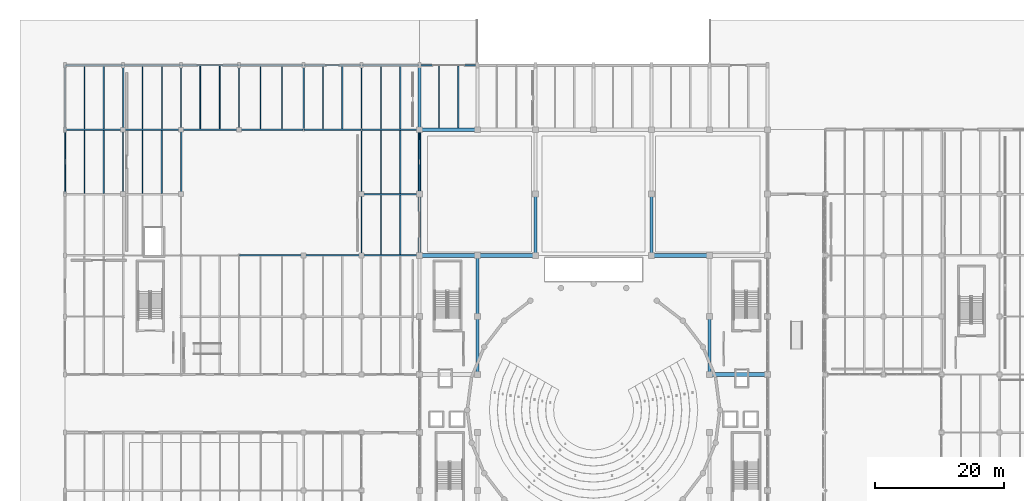
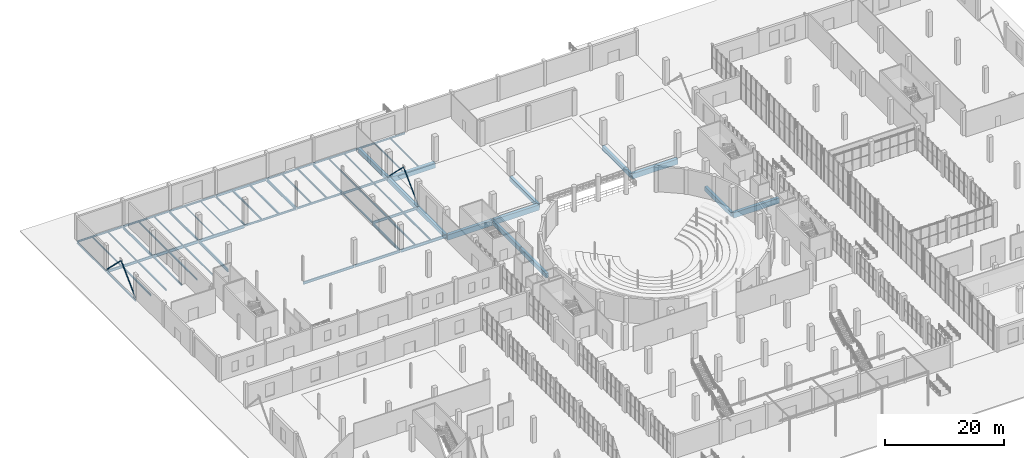
# One storey, part 50 of 103: 63 beams, 4 members.
"""IFC4 building model written with IfcOpenShell, lengths in metres."""

import ifcopenshell
import ifcopenshell.guid

model = None  # the IFC model being written
_history = None  # IfcOwnerHistory: only IFC2X3 demands one
_inside = {}  # id of a spatial element -> (the spatial element, [elements in it])
_under = {}  # id of a project, library or spatial element -> (it, [spatial elements below it])
_declared = {}  # id of a project -> (the project, [libraries it declares])
_typed = {}  # id of a type object -> (the type object, [elements of that type])
_made_of = {}  # id of a material, layer set ... -> (it, [elements and type objects made of it])


def new_model(schema):
    """Start an empty IFC model of exactly this schema.

    Asked for "IFC4X3", IfcOpenShell would pick the latest addendum, in which some entities
    have other attributes; the version numbers below select the first issue.
    IFC2X3 requires an IfcOwnerHistory on every rooted entity: one is made here for all.
    """
    global model, _history
    if schema == "IFC4X3":
        model = ifcopenshell.file(schema_version=(4, 3, 0, 0))
    else:
        model = ifcopenshell.file(schema=schema)
    _inside.clear()
    _under.clear()
    _declared.clear()
    _typed.clear()
    _made_of.clear()
    _history = None
    if model.schema == "IFC2X3":
        org = make("IfcOrganization", Name="unknown")
        user = make(
            "IfcPersonAndOrganization",
            ThePerson=make("IfcPerson", FamilyName="unknown"),
            TheOrganization=org,
        )
        app = make(
            "IfcApplication",
            ApplicationDeveloper=org,
            Version="unknown",
            ApplicationFullName="unknown",
            ApplicationIdentifier="unknown",
        )
        _history = make(
            "IfcOwnerHistory",
            OwningUser=user,
            OwningApplication=app,
            ChangeAction="ADDED",
            CreationDate=0,
        )
    return model


def make(cls, **values):
    """One entity of the class cls with the attributes given. An attribute that is None is left unset."""
    return model.create_entity(
        cls, **{name: value for name, value in values.items() if value is not None}
    )


def rooted(cls, **values):
    """An entity with a GlobalId (a new one), such as an element, a storey or a relation."""
    return make(cls, GlobalId=ifcopenshell.guid.new(), OwnerHistory=_history, **values)


def si_unit(unit_type, name, prefix=None):
    """IfcSIUnit, for example si_unit("LENGTHUNIT", "METRE", prefix="MILLI")."""
    return make("IfcSIUnit", UnitType=unit_type, Prefix=prefix, Name=name)


def assignment(units):
    """IfcUnitAssignment: the units of a project."""
    return None if units is None else make("IfcUnitAssignment", Units=units)


def point(xyz):
    """IfcCartesianPoint."""
    return None if xyz is None else make("IfcCartesianPoint", Coordinates=xyz)


def direction(xyz):
    """IfcDirection."""
    return None if xyz is None else make("IfcDirection", DirectionRatios=xyz)


def frame(location, z_axis=None, x_axis=None):
    """IfcAxis2Placement3D, a coordinate frame: its origin and axes. An axis left out is left unset."""
    return make(
        "IfcAxis2Placement3D",
        Location=point(location),
        Axis=direction(z_axis),
        RefDirection=direction(x_axis),
    )


def frame_2d(location, x_axis=None):
    """IfcAxis2Placement2D, a coordinate frame in the plane: its origin and x axis."""
    return make(
        "IfcAxis2Placement2D", Location=point(location), RefDirection=direction(x_axis)
    )


def origin():
    """The frame at (0, 0, 0) with its axes left unset."""
    return frame((0.0, 0.0, 0.0))


def origin_2d():
    """The frame at (0, 0) in the plane with its x axis left unset."""
    return frame_2d((0.0, 0.0))


def place(relative_to, where):
    """IfcLocalPlacement: puts the frame where relative to a parent placement (None: the world)."""
    return make(
        "IfcLocalPlacement", PlacementRelTo=relative_to, RelativePlacement=where
    )


def context(
    kind, dimensions, precision=None, world=None, true_north=None, identifier=None
):
    """IfcGeometricRepresentationContext, for example the 3D "Model" context."""
    return make(
        "IfcGeometricRepresentationContext",
        ContextIdentifier=identifier,
        ContextType=kind,
        CoordinateSpaceDimension=dimensions,
        Precision=precision,
        WorldCoordinateSystem=world,
        TrueNorth=true_north,
    )


def subcontext(parent, identifier, kind, view, scale=None):
    """IfcGeometricRepresentationSubContext, for example "Body" below "Model"."""
    return make(
        "IfcGeometricRepresentationSubContext",
        ContextIdentifier=identifier,
        ContextType=kind,
        ParentContext=parent,
        TargetScale=scale,
        TargetView=view,
    )


def project(units=None, contexts=None):
    """IfcProject with its units and contexts."""
    return rooted(
        "IfcProject",
        Name="project",
        RepresentationContexts=contexts,
        UnitsInContext=assignment(units),
    )


def spatial(cls, under=None, at=None, **own):
    """A site, building, storey or space (cls), placed at a placement, below another one or the project."""
    s = rooted(cls, ObjectPlacement=at, **own)
    if under is not None:
        _under.setdefault(under.id(), (under, []))[1].append(s)
    return s


def profile(cls, at=None, kind="AREA", **sizes):
    """A parametric profile (cls). Its sizes go by their IFC names, for example OverallWidth=200.0."""
    return make(cls, ProfileType=kind, Position=at, **sizes)


def rectangle(**sizes):
    """IfcRectangleProfileDef."""
    return profile("IfcRectangleProfileDef", **sizes)


def hollow_rectangle(**sizes):
    """IfcRectangleHollowProfileDef."""
    return profile("IfcRectangleHollowProfileDef", **sizes)


def hollow_circle(**sizes):
    """IfcCircleHollowProfileDef."""
    return profile("IfcCircleHollowProfileDef", **sizes)


def i_section(**sizes):
    """IfcIShapeProfileDef."""
    return profile("IfcIShapeProfileDef", **sizes)


def extrude(swept, where, along, depth):
    """IfcExtrudedAreaSolid: the profile swept, set in the frame where, extruded along a direction by depth."""
    return make(
        "IfcExtrudedAreaSolid",
        SweptArea=swept,
        Position=where,
        ExtrudedDirection=direction(along),
        Depth=depth,
    )


def shape(context_of_items, identifier, shape_type, items):
    """IfcShapeRepresentation: the items that make up one representation, for example the "Body"."""
    return make(
        "IfcShapeRepresentation",
        ContextOfItems=context_of_items,
        RepresentationIdentifier=identifier,
        RepresentationType=shape_type,
        Items=items,
    )


def material(Name=None, Category=None):
    """IfcMaterial."""
    return make("IfcMaterial", Name=Name, Category=Category)


def material_profile(
    of_material, cross_section, Name=None, Category=None, Priority=None
):
    """IfcMaterialProfile: a cross section and its material."""
    return make(
        "IfcMaterialProfile",
        Name=Name,
        Material=of_material,
        Profile=cross_section,
        Priority=Priority,
        Category=Category,
    )


def profile_set(profiles, Name=None, composite=None):
    """IfcMaterialProfileSet."""
    return make(
        "IfcMaterialProfileSet",
        Name=Name,
        MaterialProfiles=profiles,
        CompositeProfile=composite,
    )


def made_of(thing, what):
    """Note that an element or type object is made of a material, layer set ...; save() writes the relation."""
    if what is not None:
        _made_of.setdefault(what.id(), (what, []))[1].append(thing)
    return thing


def type_object(cls, material=None, **own):
    """A type object (cls), such as IfcWallType, which elements share."""
    return made_of(rooted(cls, **own), material)


def element(
    cls,
    number,
    at=None,
    inside=None,
    cuts=None,
    type_object=None,
    material=None,
    context=None,
    identifier="Body",
    shape_type=None,
    held_by="IfcProductDefinitionShape",
    body=None,
    shapes=None,
    **own,
):
    """One element of the class cls, such as IfcWall. Its Tag is "e" and its number.

    at: its placement. inside: the storey or other place that contains it. cuts: it is an
    opening in that element (IfcRelVoidsElement). A single representation is given by context,
    identifier, shape_type and body (its items); several are given by shapes. held_by: the class
    of the entity that holds the representations. save() writes the other relations.
    """
    e = rooted(cls, Tag="e%d" % number, ObjectPlacement=at, **own)
    if body is not None:
        shapes = [shape(context, identifier, shape_type, body)]
    if shapes is not None:
        e.Representation = make(held_by, Representations=shapes)
    if inside is not None:
        _inside.setdefault(inside.id(), (inside, []))[1].append(e)
    if cuts is not None:
        rooted(
            "IfcRelVoidsElement", RelatingBuildingElement=cuts, RelatedOpeningElement=e
        )
    if type_object is not None:
        _typed.setdefault(type_object.id(), (type_object, []))[1].append(e)
    return made_of(e, material)


def aggregate(whole, parts):
    """IfcRelAggregates: a whole, such as a stair, and the parts it consists of."""
    return rooted("IfcRelAggregates", RelatingObject=whole, RelatedObjects=parts)


def save(model, path):
    """Write the relations noted so far, then the file.

    IfcRelAggregates (storeys below a building ...), IfcRelContainedInSpatialStructure (elements
    in a storey), IfcRelDefinesByType, IfcRelAssociatesMaterial and IfcRelDeclares: one each for
    every whole, place, type object, material and project.
    """
    for whole, parts in _under.values():
        aggregate(whole, parts)
    for where, things in _inside.values():
        rooted(
            "IfcRelContainedInSpatialStructure",
            RelatedElements=things,
            RelatingStructure=where,
        )
    for kind, things in _typed.values():
        rooted("IfcRelDefinesByType", RelatedObjects=things, RelatingType=kind)
    for what, things in _made_of.values():
        rooted("IfcRelAssociatesMaterial", RelatedObjects=things, RelatingMaterial=what)
    for by, libraries in _declared.values():
        rooted("IfcRelDeclares", RelatingContext=by, RelatedDefinitions=libraries)
    model.write(path)


model = new_model("IFC4")

# Units and contexts
model_context = context("Model", 3, precision=1e-05, world=origin(), true_north=direction((0.0, 1.0)))
body_context = subcontext(model_context, "Body", "Model", "MODEL_VIEW")
ifc_project = project(units=[si_unit("LENGTHUNIT", "METRE"), si_unit("AREAUNIT", "SQUARE_METRE"), si_unit("VOLUMEUNIT", "CUBIC_METRE"), si_unit("PLANEANGLEUNIT", "RADIAN"), si_unit("MASSUNIT", "GRAM", prefix="KILO")], contexts=[model_context])

# Site, building, storey
site_placement = place(None, origin())
site = spatial("IfcSite", under=ifc_project, at=site_placement, CompositionType="ELEMENT")
building_placement = place(site_placement, origin())
building = spatial("IfcBuilding", under=site, at=building_placement, Name="Marnock Terrace Opera House", CompositionType="ELEMENT")
storey_placement = place(building_placement, origin())
storey = spatial("IfcBuildingStorey", under=building, at=storey_placement, Name="L00", CompositionType="ELEMENT", Elevation=0.0)

# Beams
ifc_material_1 = material(Name="Concrete N40 (f'c = 40 MPa)", Category="concrete")
ifc_material_profile_1 = material_profile(ifc_material_1, rectangle(XDim=0.5, YDim=0.89990234375, at=origin_2d()))
ifc_profile_set_1 = profile_set([ifc_material_profile_1], Name="Concrete N40 (f'c = 40 MPa)")
beam_type_1 = type_object("IfcBeamType", Name="BM-B1-RC500", PredefinedType="BEAM", material=ifc_profile_set_1)
beam_1_placement = place(storey_placement, frame((55.0, 84.550048828125, -0.75), z_axis=(0.0, 1.0, 0.0), x_axis=(-1.0, 0.0, 0.0)))
element("IfcBeam", 1, at=beam_1_placement, inside=storey, type_object=beam_type_1, Name="L00 girder (X=55.0, 84.5..94.0)", PredefinedType="BEAM", context=body_context, shape_type="SweptSolid", body=[
    extrude(rectangle(XDim=0.5, YDim=0.89990234375, at=origin_2d()), origin(), (0.0, 0.0, 1.0), 9.39990234375),
])
for number, where, z_axis, x_axis, name in (
    (2, (55.0, 94.050048828125, -0.75), (0.0, 1.0, 0.0), (-1.0, 0.0, 0.0), "L00 girder (X=55.0, 94.0..104.0)"),
    (3, (55.0, 104.050048828125, -0.75), (0.0, 1.0, 0.0), (-1.0, 0.0, 0.0), "L00 girder (X=55.0, 104.0..114.0)"),
):
    element("IfcBeam", number, at=place(storey_placement, frame(where, z_axis=z_axis, x_axis=x_axis)), inside=storey, type_object=beam_type_1, Name=name, PredefinedType="BEAM", context=body_context, shape_type="SweptSolid", body=[
        extrude(rectangle(XDim=0.5, YDim=0.89990234375, at=origin_2d()), origin(), (0.0, 0.0, 1.0), 9.89990234375),
    ])
beam_2_placement = place(storey_placement, frame((64.0, 66.050048828125, -0.75), z_axis=(0.0, 1.0, 0.0), x_axis=(-1.0, 0.0, 0.0)))
element("IfcBeam", 4, at=beam_2_placement, inside=storey, type_object=beam_type_1, Name="L00 girder (X=64.0, 66.0..75.0)", PredefinedType="BEAM", context=body_context, shape_type="SweptSolid", body=[
    extrude(rectangle(XDim=0.5, YDim=0.89990234375, at=origin_2d()), origin(), (0.0, 0.0, 1.0), 8.89990234375),
])
for number, where, z_axis, x_axis, name in (
    (5, (64.0, 75.050048828125, -0.75), (0.0, 1.0, 0.0), (-1.0, 0.0, 0.0), "L00 girder (X=64.0, 75.0..84.5)"),
    (6, (73.0, 84.550048828125, -0.75), (0.0, 1.0, 0.0), (-1.0, 0.0, 0.0), "L00 girder (X=73.0, 84.5..94.0)"),
    (7, (91.0, 84.550048828125, -0.75), (0.0, 1.0, 0.0), (-1.0, 0.0, 0.0), "L00 girder (X=91.0, 84.5..94.0)"),
):
    element("IfcBeam", number, at=place(storey_placement, frame(where, z_axis=z_axis, x_axis=x_axis)), inside=storey, type_object=beam_type_1, Name=name, PredefinedType="BEAM", context=body_context, shape_type="SweptSolid", body=[
        extrude(rectangle(XDim=0.5, YDim=0.89990234375, at=origin_2d()), origin(), (0.0, 0.0, 1.0), 9.39990234375),
    ])
beam_3_placement = place(storey_placement, frame((100.0, 66.050048828125, -0.75), z_axis=(0.0, 1.0, 0.0), x_axis=(-1.0, 0.0, 0.0)))
element("IfcBeam", 8, at=beam_3_placement, inside=storey, type_object=beam_type_1, Name="L00 girder (X=100.0, 66.0..75.0)", PredefinedType="BEAM", context=body_context, shape_type="SweptSolid", body=[
    extrude(rectangle(XDim=0.5, YDim=0.89990234375, at=origin_2d()), origin(), (0.0, 0.0, 1.0), 8.89990234375),
])
ifc_material_profile_2 = material_profile(ifc_material_1, rectangle(XDim=0.60009765625, YDim=1.10009765625, at=origin_2d()))
ifc_profile_set_2 = profile_set([ifc_material_profile_2], Name="Concrete N40 (f'c = 40 MPa)")
beam_type_2 = type_object("IfcBeamType", Name="BM-B1-RC600", PredefinedType="BEAM", material=ifc_profile_set_2)
for number, where, z_axis, x_axis, name in (
    (9, (100.050048828125, 66.0, -0.85009765625), (1.0, 0.0, 0.0), (0.0, 1.0, 0.0), "L00 girder (100.0..109.0, Y=66.0)"),
    (10, (55.050048828125, 84.5, -0.85009765625), (1.0, 0.0, 0.0), (0.0, 1.0, 0.0), "L00 girder (55.0..64.0, Y=84.5)"),
    (11, (64.050048828125, 84.5, -0.85009765625), (1.0, 0.0, 0.0), (0.0, 1.0, 0.0), "L00 girder (64.0..73.0, Y=84.5)"),
    (12, (91.050048828125, 84.5, -0.85009765625), (1.0, 0.0, 0.0), (0.0, 1.0, 0.0), "L00 girder (91.0..100.0, Y=84.5)"),
    (13, (55.050048828125, 104.0, -0.85009765625), (1.0, 0.0, 0.0), (0.0, 1.0, 0.0), "L00 girder (55.0..64.0, Y=104.0)"),
):
    element("IfcBeam", number, at=place(storey_placement, frame(where, z_axis=z_axis, x_axis=x_axis)), inside=storey, type_object=beam_type_2, Name=name, PredefinedType="BEAM", context=body_context, shape_type="SweptSolid", body=[
        extrude(rectangle(XDim=0.60009765625, YDim=1.10009765625, at=origin_2d()), origin(), (0.0, 0.0, 1.0), 8.89990234375),
    ])
ifc_material_2 = material(Name="Steel Grade 350 (AS/NZS 3679.1)", Category="steel")
ifc_material_profile_3 = material_profile(ifc_material_2, i_section(OverallWidth=0.1708984375, OverallDepth=0.355712890625, WebThickness=0.00732421875, FlangeThickness=0.011474609375, FilletRadius=0.011474609375, at=origin_2d()))
ifc_profile_set_3 = profile_set([ifc_material_profile_3], Name="Steel Grade 350 (AS/NZS 3679.1)")
beam_type_3 = type_object("IfcBeamType", Name="BM-GIRD-360", PredefinedType="BEAM", material=ifc_profile_set_3)
for number, where, z_axis, x_axis, name in (
    (14, (9.0, 94.050048828125, -0.477783203125), (0.0, 1.0, 0.0), (-1.0, 0.0, 0.0), "L00 girder (X=9.0, 94.0..104.0)"),
    (15, (27.0, 104.050048828125, -0.477783203125), (0.0, 1.0, 0.0), (-1.0, 0.0, 0.0), "L00 girder (X=27.0, 104.0..114.0)"),
    (16, (46.0, 94.050048828125, -0.477783203125), (0.0, 1.0, 0.0), (-1.0, 0.0, 0.0), "L00 girder (X=46.0, 94.0..104.0)"),
):
    element("IfcBeam", number, at=place(storey_placement, frame(where, z_axis=z_axis, x_axis=x_axis)), inside=storey, type_object=beam_type_3, Name=name, PredefinedType="BEAM", context=body_context, shape_type="SweptSolid", body=[
        extrude(i_section(OverallWidth=0.1708984375, OverallDepth=0.355712890625, WebThickness=0.00732421875, FlangeThickness=0.011474609375, FilletRadius=0.011474609375, at=origin_2d()), origin(), (0.0, 0.0, 1.0), 9.89990234375),
    ])
ifc_material_profile_4 = material_profile(ifc_material_2, i_section(OverallWidth=0.177978515625, OverallDepth=0.402587890625, WebThickness=0.007568359375, FlangeThickness=0.010986328125, FilletRadius=0.011474609375, at=origin_2d()))
ifc_profile_set_4 = profile_set([ifc_material_profile_4], Name="Steel Grade 350 (AS/NZS 3679.1)")
beam_type_4 = type_object("IfcBeamType", Name="BM-GIRD-410", PredefinedType="BEAM", material=ifc_profile_set_4)
beam_4_placement = place(storey_placement, frame((27.050048828125, 104.0, -0.501220703125), z_axis=(1.0, 0.0, 0.0), x_axis=(0.0, 1.0, 0.0)))
element("IfcBeam", 17, at=beam_4_placement, inside=storey, type_object=beam_type_4, Name="L00 girder (27.0..37.0, Y=104.0)", PredefinedType="BEAM", context=body_context, shape_type="SweptSolid", body=[
    extrude(i_section(OverallWidth=0.177978515625, OverallDepth=0.402587890625, WebThickness=0.007568359375, FlangeThickness=0.010986328125, FilletRadius=0.011474609375, at=origin_2d()), origin(), (0.0, 0.0, 1.0), 9.89990234375),
])
beam_5_placement = place(storey_placement, frame((37.050048828125, 104.0, -0.501220703125), z_axis=(1.0, 0.0, 0.0), x_axis=(0.0, 1.0, 0.0)))
element("IfcBeam", 18, at=beam_5_placement, inside=storey, type_object=beam_type_4, Name="L00 girder (37.0..46.0, Y=104.0)", PredefinedType="BEAM", context=body_context, shape_type="SweptSolid", body=[
    extrude(i_section(OverallWidth=0.177978515625, OverallDepth=0.402587890625, WebThickness=0.007568359375, FlangeThickness=0.010986328125, FilletRadius=0.011474609375, at=origin_2d()), origin(), (0.0, 0.0, 1.0), 8.89990234375),
])
ifc_material_profile_5 = material_profile(ifc_material_2, i_section(OverallWidth=0.19091796875, OverallDepth=0.46044921875, WebThickness=0.010009765625, FlangeThickness=0.01611328125, FilletRadius=0.011474609375, at=origin_2d()))
ifc_profile_set_5 = profile_set([ifc_material_profile_5], Name="Steel Grade 350 (AS/NZS 3679.1)")
beam_type_5 = type_object("IfcBeamType", Name="BM-GIRD-460A", PredefinedType="BEAM", material=ifc_profile_set_5)
beam_6_placement = place(storey_placement, frame((46.050048828125, 104.0, -0.5302734375), z_axis=(1.0, 0.0, 0.0), x_axis=(0.0, 1.0, 0.0)))
element("IfcBeam", 19, at=beam_6_placement, inside=storey, type_object=beam_type_5, Name="L00 girder (46.0..55.0, Y=104.0)", PredefinedType="BEAM", context=body_context, shape_type="SweptSolid", body=[
    extrude(i_section(OverallWidth=0.19091796875, OverallDepth=0.46044921875, WebThickness=0.010009765625, FlangeThickness=0.01611328125, FilletRadius=0.011474609375, at=origin_2d()), origin(), (0.0, 0.0, 1.0), 8.89990234375),
])
ifc_material_profile_6 = material_profile(ifc_material_2, i_section(OverallWidth=0.18994140625, OverallDepth=0.45751953125, WebThickness=0.009033203125, FlangeThickness=0.014404296875, FilletRadius=0.011474609375, at=origin_2d()))
ifc_profile_set_6 = profile_set([ifc_material_profile_6], Name="Steel Grade 350 (AS/NZS 3679.1)")
beam_type_6 = type_object("IfcBeamType", Name="BM-GIRD-460B", PredefinedType="BEAM", material=ifc_profile_set_6)
beam_7_placement = place(storey_placement, frame((18.0, 104.050048828125, -0.52880859375), z_axis=(0.0, 1.0, 0.0), x_axis=(-1.0, 0.0, 0.0)))
element("IfcBeam", 20, at=beam_7_placement, inside=storey, type_object=beam_type_6, Name="L00 girder (X=18.0, 104.0..114.0)", PredefinedType="BEAM", context=body_context, shape_type="SweptSolid", body=[
    extrude(i_section(OverallWidth=0.18994140625, OverallDepth=0.45751953125, WebThickness=0.009033203125, FlangeThickness=0.014404296875, FilletRadius=0.011474609375, at=origin_2d()), origin(), (0.0, 0.0, 1.0), 9.89990234375),
])
ifc_material_profile_7 = material_profile(ifc_material_2, i_section(OverallWidth=0.208984375, OverallDepth=0.532958984375, WebThickness=0.01025390625, FlangeThickness=0.015625, FilletRadius=0.013916015625, at=origin_2d()))
ifc_profile_set_7 = profile_set([ifc_material_profile_7], Name="Steel Grade 350 (AS/NZS 3679.1)")
beam_type_7 = type_object("IfcBeamType", Name="BM-GIRD-530A", PredefinedType="BEAM", material=ifc_profile_set_7)
beam_8_placement = place(storey_placement, frame((27.050048828125, 84.5, -0.56640625), z_axis=(1.0, 0.0, 0.0), x_axis=(0.0, 1.0, 0.0)))
element("IfcBeam", 21, at=beam_8_placement, inside=storey, type_object=beam_type_7, Name="L00 girder (27.0..37.0, Y=84.5)", PredefinedType="BEAM", context=body_context, shape_type="SweptSolid", body=[
    extrude(i_section(OverallWidth=0.208984375, OverallDepth=0.532958984375, WebThickness=0.01025390625, FlangeThickness=0.015625, FilletRadius=0.013916015625, at=origin_2d()), origin(), (0.0, 0.0, 1.0), 9.89990234375),
])
for number, where, z_axis, x_axis, name in (
    (22, (37.050048828125, 84.5, -0.56640625), (1.0, 0.0, 0.0), (0.0, 1.0, 0.0), "L00 girder (37.0..46.0, Y=84.5)"),
    (23, (46.050048828125, 94.0, -0.56640625), (1.0, 0.0, 0.0), (0.0, 1.0, 0.0), "L00 girder (46.0..55.0, Y=94.0)"),
    (24, (0.050048828125, 104.0, -0.56640625), (1.0, 0.0, 0.0), (0.0, 1.0, 0.0), "L00 girder (0.0..9.0, Y=104.0)"),
):
    element("IfcBeam", number, at=place(storey_placement, frame(where, z_axis=z_axis, x_axis=x_axis)), inside=storey, type_object=beam_type_7, Name=name, PredefinedType="BEAM", context=body_context, shape_type="SweptSolid", body=[
        extrude(i_section(OverallWidth=0.208984375, OverallDepth=0.532958984375, WebThickness=0.01025390625, FlangeThickness=0.015625, FilletRadius=0.013916015625, at=origin_2d()), origin(), (0.0, 0.0, 1.0), 8.89990234375),
    ])
ifc_material_profile_8 = material_profile(ifc_material_2, i_section(OverallWidth=0.208984375, OverallDepth=0.528076171875, WebThickness=0.009521484375, FlangeThickness=0.01318359375, FilletRadius=0.013916015625, at=origin_2d()))
ifc_profile_set_8 = profile_set([ifc_material_profile_8], Name="Steel Grade 350 (AS/NZS 3679.1)")
beam_type_8 = type_object("IfcBeamType", Name="BM-GIRD-530B", PredefinedType="BEAM", material=ifc_profile_set_8)
beam_9_placement = place(storey_placement, frame((9.0, 104.050048828125, -0.56396484375), z_axis=(0.0, 1.0, 0.0), x_axis=(-1.0, 0.0, 0.0)))
element("IfcBeam", 25, at=beam_9_placement, inside=storey, type_object=beam_type_8, Name="L00 girder (X=9.0, 104.0..114.0)", PredefinedType="BEAM", context=body_context, shape_type="SweptSolid", body=[
    extrude(i_section(OverallWidth=0.208984375, OverallDepth=0.528076171875, WebThickness=0.009521484375, FlangeThickness=0.01318359375, FilletRadius=0.013916015625, at=origin_2d()), origin(), (0.0, 0.0, 1.0), 9.89990234375),
])
beam_10_placement = place(storey_placement, frame((46.0, 84.550048828125, -0.56396484375), z_axis=(0.0, 1.0, 0.0), x_axis=(-1.0, 0.0, 0.0)))
element("IfcBeam", 26, at=beam_10_placement, inside=storey, type_object=beam_type_8, Name="L00 girder (X=46.0, 84.5..94.0)", PredefinedType="BEAM", context=body_context, shape_type="SweptSolid", body=[
    extrude(i_section(OverallWidth=0.208984375, OverallDepth=0.528076171875, WebThickness=0.009521484375, FlangeThickness=0.01318359375, FilletRadius=0.013916015625, at=origin_2d()), origin(), (0.0, 0.0, 1.0), 9.39990234375),
])
beam_11_placement = place(storey_placement, frame((46.0, 104.050048828125, -0.56396484375), z_axis=(0.0, 1.0, 0.0), x_axis=(-1.0, 0.0, 0.0)))
element("IfcBeam", 27, at=beam_11_placement, inside=storey, type_object=beam_type_8, Name="L00 girder (X=46.0, 104.0..114.0)", PredefinedType="BEAM", context=body_context, shape_type="SweptSolid", body=[
    extrude(i_section(OverallWidth=0.208984375, OverallDepth=0.528076171875, WebThickness=0.009521484375, FlangeThickness=0.01318359375, FilletRadius=0.013916015625, at=origin_2d()), origin(), (0.0, 0.0, 1.0), 9.89990234375),
])
ifc_material_profile_9 = material_profile(ifc_material_2, i_section(OverallWidth=0.22900390625, OverallDepth=0.611572265625, WebThickness=0.011962890625, FlangeThickness=0.01953125, FilletRadius=0.013916015625, at=origin_2d()))
ifc_profile_set_9 = profile_set([ifc_material_profile_9], Name="Steel Grade 350 (AS/NZS 3679.1)")
beam_type_9 = type_object("IfcBeamType", Name="BM-GIRD-610A", PredefinedType="BEAM", material=ifc_profile_set_9)
beam_12_placement = place(storey_placement, frame((18.050048828125, 104.0, -0.605712890625), z_axis=(1.0, 0.0, 0.0), x_axis=(0.0, 1.0, 0.0)))
element("IfcBeam", 28, at=beam_12_placement, inside=storey, type_object=beam_type_9, Name="L00 girder (18.0..27.0, Y=104.0)", PredefinedType="BEAM", context=body_context, shape_type="SweptSolid", body=[
    extrude(i_section(OverallWidth=0.22900390625, OverallDepth=0.611572265625, WebThickness=0.011962890625, FlangeThickness=0.01953125, FilletRadius=0.013916015625, at=origin_2d()), origin(), (0.0, 0.0, 1.0), 8.89990234375),
])
ifc_material_profile_10 = material_profile(ifc_material_2, i_section(OverallWidth=0.22802734375, OverallDepth=0.60693359375, WebThickness=0.01123046875, FlangeThickness=0.017333984375, FilletRadius=0.013916015625, at=origin_2d()))
ifc_profile_set_10 = profile_set([ifc_material_profile_10], Name="Steel Grade 350 (AS/NZS 3679.1)")
beam_type_10 = type_object("IfcBeamType", Name="BM-GIRD-610B", PredefinedType="BEAM", material=ifc_profile_set_10)
for number, where, z_axis, x_axis, name in (
    (29, (46.050048828125, 84.5, -0.603515625), (1.0, 0.0, 0.0), (0.0, 1.0, 0.0), "L00 girder (46.0..55.0, Y=84.5)"),
    (30, (9.050048828125, 104.0, -0.603515625), (1.0, 0.0, 0.0), (0.0, 1.0, 0.0), "L00 girder (9.0..18.0, Y=104.0)"),
):
    element("IfcBeam", number, at=place(storey_placement, frame(where, z_axis=z_axis, x_axis=x_axis)), inside=storey, type_object=beam_type_10, Name=name, PredefinedType="BEAM", context=body_context, shape_type="SweptSolid", body=[
        extrude(i_section(OverallWidth=0.22802734375, OverallDepth=0.60693359375, WebThickness=0.01123046875, FlangeThickness=0.017333984375, FilletRadius=0.013916015625, at=origin_2d()), origin(), (0.0, 0.0, 1.0), 8.89990234375),
    ])
ifc_material_profile_11 = material_profile(ifc_material_2, i_section(OverallWidth=0.22802734375, OverallDepth=0.60205078125, WebThickness=0.010498046875, FlangeThickness=0.014892578125, FilletRadius=0.013916015625, at=origin_2d()))
ifc_profile_set_11 = profile_set([ifc_material_profile_11], Name="Steel Grade 350 (AS/NZS 3679.1)")
beam_type_11 = type_object("IfcBeamType", Name="BM-GIRD-610C", PredefinedType="BEAM", material=ifc_profile_set_11)
for number, where, z_axis, x_axis, name in (
    (31, (18.0, 94.050048828125, -0.60107421875), (0.0, 1.0, 0.0), (-1.0, 0.0, 0.0), "L00 girder (X=18.0, 94.0..104.0)"),
    (32, (37.0, 104.050048828125, -0.60107421875), (0.0, 1.0, 0.0), (-1.0, 0.0, 0.0), "L00 girder (X=37.0, 104.0..114.0)"),
):
    element("IfcBeam", number, at=place(storey_placement, frame(where, z_axis=z_axis, x_axis=x_axis)), inside=storey, type_object=beam_type_11, Name=name, PredefinedType="BEAM", context=body_context, shape_type="SweptSolid", body=[
        extrude(i_section(OverallWidth=0.22802734375, OverallDepth=0.60205078125, WebThickness=0.010498046875, FlangeThickness=0.014892578125, FilletRadius=0.013916015625, at=origin_2d()), origin(), (0.0, 0.0, 1.0), 9.89990234375),
    ])
ifc_material_profile_12 = material_profile(ifc_material_2, i_section(OverallWidth=0.14599609375, OverallDepth=0.256103515625, WebThickness=0.00634765625, FlangeThickness=0.010986328125, FilletRadius=0.0087890625, at=origin_2d()))
ifc_profile_set_12 = profile_set([ifc_material_profile_12], Name="Steel Grade 350 (AS/NZS 3679.1)")
beam_type_12 = type_object("IfcBeamType", Name="BM-JOIST-250", PredefinedType="JOIST", material=ifc_profile_set_12)
for number, where, z_axis, x_axis, name in (
    (33, (21.0, 104.109619140625, -0.427978515625), (0.0, 1.0, 0.0), (-1.0, 0.0, 0.0), "L00 secondary joist 2.12.1"),
    (34, (24.0, 104.109619140625, -0.427978515625), (0.0, 1.0, 0.0), (-1.0, 0.0, 0.0), "L00 secondary joist 2.12.2"),
):
    element("IfcBeam", number, at=place(storey_placement, frame(where, z_axis=z_axis, x_axis=x_axis)), inside=storey, type_object=beam_type_12, Name=name, PredefinedType="JOIST", context=body_context, shape_type="SweptSolid", body=[
        extrude(i_section(OverallWidth=0.14599609375, OverallDepth=0.256103515625, WebThickness=0.00634765625, FlangeThickness=0.010986328125, FilletRadius=0.0087890625, at=origin_2d()), origin(), (0.0, 0.0, 1.0), 9.809326171875),
    ])
ifc_material_profile_13 = material_profile(ifc_material_2, i_section(OverallWidth=0.166015625, OverallDepth=0.30712890625, WebThickness=0.006591796875, FlangeThickness=0.01171875, FilletRadius=0.011474609375, at=origin_2d()))
ifc_profile_set_13 = profile_set([ifc_material_profile_13], Name="Steel Grade 350 (AS/NZS 3679.1)")
beam_type_13 = type_object("IfcBeamType", Name="BM-JOIST-310A", PredefinedType="JOIST", material=ifc_profile_set_13)
for number, where, z_axis, x_axis, name in (
    (35, (3.0, 104.099609375, -0.45361328125), (0.0, 1.0, 0.0), (-1.0, 0.0, 0.0), "L00 secondary joist 0.12.1"),
    (36, (6.0, 104.099609375, -0.45361328125), (0.0, 1.0, 0.0), (-1.0, 0.0, 0.0), "L00 secondary joist 0.12.2"),
):
    element("IfcBeam", number, at=place(storey_placement, frame(where, z_axis=z_axis, x_axis=x_axis)), inside=storey, type_object=beam_type_13, Name=name, PredefinedType="JOIST", context=body_context, shape_type="SweptSolid", body=[
        extrude(i_section(OverallWidth=0.166015625, OverallDepth=0.30712890625, WebThickness=0.006591796875, FlangeThickness=0.01171875, FilletRadius=0.011474609375, at=origin_2d()), origin(), (0.0, 0.0, 1.0), 9.8193359375),
    ])
for number, where, z_axis, x_axis, name in (
    (37, (12.0, 94.109619140625, -0.45361328125), (0.0, 1.0, 0.0), (-1.0, 0.0, 0.0), "L00 secondary joist 1.11.1"),
    (38, (15.0, 94.109619140625, -0.45361328125), (0.0, 1.0, 0.0), (-1.0, 0.0, 0.0), "L00 secondary joist 1.11.2"),
):
    element("IfcBeam", number, at=place(storey_placement, frame(where, z_axis=z_axis, x_axis=x_axis)), inside=storey, type_object=beam_type_13, Name=name, PredefinedType="JOIST", context=body_context, shape_type="SweptSolid", body=[
        extrude(i_section(OverallWidth=0.166015625, OverallDepth=0.30712890625, WebThickness=0.006591796875, FlangeThickness=0.01171875, FilletRadius=0.011474609375, at=origin_2d()), origin(), (0.0, 0.0, 1.0), 9.781494140625),
    ])
for number, where, z_axis, x_axis, name in (
    (39, (49.0, 104.090576171875, -0.45361328125), (0.0, 1.0, 0.0), (-1.0, 0.0, 0.0), "L00 secondary joist 5.12.1"),
    (40, (52.0, 104.090576171875, -0.45361328125), (0.0, 1.0, 0.0), (-1.0, 0.0, 0.0), "L00 secondary joist 5.12.2"),
):
    element("IfcBeam", number, at=place(storey_placement, frame(where, z_axis=z_axis, x_axis=x_axis)), inside=storey, type_object=beam_type_13, Name=name, PredefinedType="JOIST", context=body_context, shape_type="SweptSolid", body=[
        extrude(i_section(OverallWidth=0.166015625, OverallDepth=0.30712890625, WebThickness=0.006591796875, FlangeThickness=0.01171875, FilletRadius=0.011474609375, at=origin_2d()), origin(), (0.0, 0.0, 1.0), 9.828369140625),
    ])
ifc_material_profile_14 = material_profile(ifc_material_2, i_section(OverallWidth=0.1650390625, OverallDepth=0.3037109375, WebThickness=0.006103515625, FlangeThickness=0.01025390625, FilletRadius=0.011474609375, at=origin_2d()))
ifc_profile_set_14 = profile_set([ifc_material_profile_14], Name="Steel Grade 350 (AS/NZS 3679.1)")
beam_type_14 = type_object("IfcBeamType", Name="BM-JOIST-310B", PredefinedType="JOIST", material=ifc_profile_set_14)
for number, where, z_axis, x_axis, name in (
    (41, (12.0, 104.10888671875, -0.451904296875), (0.0, 1.0, 0.0), (-1.0, 0.0, 0.0), "L00 secondary joist 1.12.1"),
    (42, (15.0, 104.10888671875, -0.451904296875), (0.0, 1.0, 0.0), (-1.0, 0.0, 0.0), "L00 secondary joist 1.12.2"),
):
    element("IfcBeam", number, at=place(storey_placement, frame(where, z_axis=z_axis, x_axis=x_axis)), inside=storey, type_object=beam_type_14, Name=name, PredefinedType="JOIST", context=body_context, shape_type="SweptSolid", body=[
        extrude(i_section(OverallWidth=0.1650390625, OverallDepth=0.3037109375, WebThickness=0.006103515625, FlangeThickness=0.01025390625, FilletRadius=0.011474609375, at=origin_2d()), origin(), (0.0, 0.0, 1.0), 9.81005859375),
    ])
for number, where, z_axis, x_axis, name in (
    (43, (58.0, 104.294921875, -0.451904296875), (0.0, 1.0, 0.0), (-1.0, 0.0, 0.0), "L00 secondary joist 6.12.1"),
    (44, (61.0, 104.294921875, -0.451904296875), (0.0, 1.0, 0.0), (-1.0, 0.0, 0.0), "L00 secondary joist 6.12.2"),
):
    element("IfcBeam", number, at=place(storey_placement, frame(where, z_axis=z_axis, x_axis=x_axis)), inside=storey, type_object=beam_type_14, Name=name, PredefinedType="JOIST", context=body_context, shape_type="SweptSolid", body=[
        extrude(i_section(OverallWidth=0.1650390625, OverallDepth=0.3037109375, WebThickness=0.006103515625, FlangeThickness=0.01025390625, FilletRadius=0.011474609375, at=origin_2d()), origin(), (0.0, 0.0, 1.0), 9.6240234375),
    ])
ifc_material_profile_15 = material_profile(ifc_material_2, i_section(OverallWidth=0.172119140625, OverallDepth=0.358642578125, WebThickness=0.008056640625, FlangeThickness=0.012939453125, FilletRadius=0.011474609375, at=origin_2d()))
ifc_profile_set_15 = profile_set([ifc_material_profile_15], Name="Steel Grade 350 (AS/NZS 3679.1)")
beam_type_15 = type_object("IfcBeamType", Name="BM-JOIST-360", PredefinedType="JOIST", material=ifc_profile_set_15)
for number, where, z_axis, x_axis, name in (
    (45, (3.0, 94.10888671875, -0.479248046875), (0.0, 1.0, 0.0), (-1.0, 0.0, 0.0), "L00 secondary joist 0.11.1"),
    (46, (6.0, 94.10888671875, -0.479248046875), (0.0, 1.0, 0.0), (-1.0, 0.0, 0.0), "L00 secondary joist 0.11.2"),
):
    element("IfcBeam", number, at=place(storey_placement, frame(where, z_axis=z_axis, x_axis=x_axis)), inside=storey, type_object=beam_type_15, Name=name, PredefinedType="JOIST", context=body_context, shape_type="SweptSolid", body=[
        extrude(i_section(OverallWidth=0.172119140625, OverallDepth=0.358642578125, WebThickness=0.008056640625, FlangeThickness=0.012939453125, FilletRadius=0.011474609375, at=origin_2d()), origin(), (0.0, 0.0, 1.0), 9.79150390625),
    ])
for number, where, z_axis, x_axis, name in (
    (47, (40.0, 104.083984375, -0.479248046875), (0.0, 1.0, 0.0), (-1.0, 0.0, 0.0), "L00 secondary joist 4.12.1"),
    (48, (43.0, 104.083984375, -0.479248046875), (0.0, 1.0, 0.0), (-1.0, 0.0, 0.0), "L00 secondary joist 4.12.2"),
):
    element("IfcBeam", number, at=place(storey_placement, frame(where, z_axis=z_axis, x_axis=x_axis)), inside=storey, type_object=beam_type_15, Name=name, PredefinedType="JOIST", context=body_context, shape_type="SweptSolid", body=[
        extrude(i_section(OverallWidth=0.172119140625, OverallDepth=0.358642578125, WebThickness=0.008056640625, FlangeThickness=0.012939453125, FilletRadius=0.011474609375, at=origin_2d()), origin(), (0.0, 0.0, 1.0), 9.8349609375),
    ])
for number, where, z_axis, x_axis, name in (
    (49, (49.0, 94.099609375, -0.479248046875), (0.0, 1.0, 0.0), (-1.0, 0.0, 0.0), "L00 secondary joist 5.11.1"),
    (50, (52.0, 94.099609375, -0.479248046875), (0.0, 1.0, 0.0), (-1.0, 0.0, 0.0), "L00 secondary joist 5.11.2"),
):
    element("IfcBeam", number, at=place(storey_placement, frame(where, z_axis=z_axis, x_axis=x_axis)), inside=storey, type_object=beam_type_15, Name=name, PredefinedType="JOIST", context=body_context, shape_type="SweptSolid", body=[
        extrude(i_section(OverallWidth=0.172119140625, OverallDepth=0.358642578125, WebThickness=0.008056640625, FlangeThickness=0.012939453125, FilletRadius=0.011474609375, at=origin_2d()), origin(), (0.0, 0.0, 1.0), 9.809814453125),
    ])
ifc_material_profile_16 = material_profile(ifc_material_2, i_section(OverallWidth=0.177978515625, OverallDepth=0.406494140625, WebThickness=0.0078125, FlangeThickness=0.0126953125, FilletRadius=0.011474609375, at=origin_2d()))
ifc_profile_set_16 = profile_set([ifc_material_profile_16], Name="Steel Grade 350 (AS/NZS 3679.1)")
beam_type_16 = type_object("IfcBeamType", Name="BM-JOIST-410", PredefinedType="JOIST", material=ifc_profile_set_16)
for number, where, z_axis, x_axis, name in (
    (51, (30.333251953125, 104.083984375, -0.503173828125), (0.0, 1.0, 0.0), (-1.0, 0.0, 0.0), "L00 secondary joist 3.12.1"),
    (52, (33.666748046875, 104.083984375, -0.503173828125), (0.0, 1.0, 0.0), (-1.0, 0.0, 0.0), "L00 secondary joist 3.12.2"),
):
    element("IfcBeam", number, at=place(storey_placement, frame(where, z_axis=z_axis, x_axis=x_axis)), inside=storey, type_object=beam_type_16, Name=name, PredefinedType="JOIST", context=body_context, shape_type="SweptSolid", body=[
        extrude(i_section(OverallWidth=0.177978515625, OverallDepth=0.406494140625, WebThickness=0.0078125, FlangeThickness=0.0126953125, FilletRadius=0.011474609375, at=origin_2d()), origin(), (0.0, 0.0, 1.0), 9.825439453125),
    ])
for number, where, z_axis, x_axis, name in (
    (53, (49.0, 84.60888671875, -0.503173828125), (0.0, 1.0, 0.0), (-1.0, 0.0, 0.0), "L00 secondary joist 5.10.1"),
    (54, (52.0, 84.60888671875, -0.503173828125), (0.0, 1.0, 0.0), (-1.0, 0.0, 0.0), "L00 secondary joist 5.10.2"),
):
    element("IfcBeam", number, at=place(storey_placement, frame(where, z_axis=z_axis, x_axis=x_axis)), inside=storey, type_object=beam_type_16, Name=name, PredefinedType="JOIST", context=body_context, shape_type="SweptSolid", body=[
        extrude(i_section(OverallWidth=0.177978515625, OverallDepth=0.406494140625, WebThickness=0.0078125, FlangeThickness=0.0126953125, FilletRadius=0.011474609375, at=origin_2d()), origin(), (0.0, 0.0, 1.0), 9.29150390625),
    ])
ifc_material_profile_17 = material_profile(ifc_material_2, i_section(OverallWidth=0.172119140625, OverallDepth=0.358642578125, WebThickness=0.008056640625, FlangeThickness=0.012939453125, FilletRadius=0.011474609375, at=origin_2d()))
ifc_profile_set_17 = profile_set([ifc_material_profile_17], Name="Steel Grade 350 (AS/NZS 3679.1)")
beam_type_17 = type_object("IfcBeamType", Name="BM-SPAN-360", PredefinedType="SPANDREL", material=ifc_profile_set_17)
for number, where, z_axis, x_axis, name in (
    (55, (0.050048828125, 114.0, -0.479248046875), (1.0, 0.0, 0.0), (0.0, 1.0, 0.0), "L00 girder (0.0..9.0, Y=114.0)"),
    (56, (9.050048828125, 114.0, -0.479248046875), (1.0, 0.0, 0.0), (0.0, 1.0, 0.0), "L00 girder (9.0..18.0, Y=114.0)"),
    (57, (18.050048828125, 114.0, -0.479248046875), (1.0, 0.0, 0.0), (0.0, 1.0, 0.0), "L00 girder (18.0..27.0, Y=114.0)"),
    (58, (37.050048828125, 114.0, -0.479248046875), (1.0, 0.0, 0.0), (0.0, 1.0, 0.0), "L00 girder (37.0..46.0, Y=114.0)"),
    (59, (46.050048828125, 114.0, -0.479248046875), (1.0, 0.0, 0.0), (0.0, 1.0, 0.0), "L00 girder (46.0..55.0, Y=114.0)"),
    (60, (55.050048828125, 114.0, -0.479248046875), (1.0, 0.0, 0.0), (0.0, 1.0, 0.0), "L00 girder (55.0..64.0, Y=114.0)"),
):
    element("IfcBeam", number, at=place(storey_placement, frame(where, z_axis=z_axis, x_axis=x_axis)), inside=storey, type_object=beam_type_17, Name=name, PredefinedType="SPANDREL", context=body_context, shape_type="SweptSolid", body=[
        extrude(i_section(OverallWidth=0.172119140625, OverallDepth=0.358642578125, WebThickness=0.008056640625, FlangeThickness=0.012939453125, FilletRadius=0.011474609375, at=origin_2d()), origin(), (0.0, 0.0, 1.0), 8.89990234375),
    ])
for number, where, z_axis, x_axis, name in (
    (61, (0.0, 94.050048828125, -0.479248046875), (0.0, 1.0, 0.0), (-1.0, 0.0, 0.0), "L00 girder (X=0.0, 94.0..104.0)"),
    (62, (0.0, 104.050048828125, -0.479248046875), (0.0, 1.0, 0.0), (-1.0, 0.0, 0.0), "L00 girder (X=0.0, 104.0..114.0)"),
):
    element("IfcBeam", number, at=place(storey_placement, frame(where, z_axis=z_axis, x_axis=x_axis)), inside=storey, type_object=beam_type_17, Name=name, PredefinedType="SPANDREL", context=body_context, shape_type="SweptSolid", body=[
        extrude(i_section(OverallWidth=0.172119140625, OverallDepth=0.358642578125, WebThickness=0.008056640625, FlangeThickness=0.012939453125, FilletRadius=0.011474609375, at=origin_2d()), origin(), (0.0, 0.0, 1.0), 9.89990234375),
    ])
ifc_material_profile_18 = material_profile(ifc_material_2, i_section(OverallWidth=0.19091796875, OverallDepth=0.46044921875, WebThickness=0.010009765625, FlangeThickness=0.01611328125, FilletRadius=0.011474609375, at=origin_2d()))
ifc_profile_set_18 = profile_set([ifc_material_profile_18], Name="Steel Grade 350 (AS/NZS 3679.1)")
beam_type_18 = type_object("IfcBeamType", Name="BM-SPAN-460", PredefinedType="SPANDREL", material=ifc_profile_set_18)
beam_13_placement = place(storey_placement, frame((27.050048828125, 114.0, -0.5302734375), z_axis=(1.0, 0.0, 0.0), x_axis=(0.0, 1.0, 0.0)))
element("IfcBeam", 63, at=beam_13_placement, inside=storey, type_object=beam_type_18, Name="L00 girder (27.0..37.0, Y=114.0)", PredefinedType="SPANDREL", context=body_context, shape_type="SweptSolid", body=[
    extrude(i_section(OverallWidth=0.19091796875, OverallDepth=0.46044921875, WebThickness=0.010009765625, FlangeThickness=0.01611328125, FilletRadius=0.011474609375, at=origin_2d()), origin(), (0.0, 0.0, 1.0), 9.89990234375),
])

# Members
ifc_material_3 = material(Name="Cold-formed Steel Grade C350L0 (AS/NZS 1163)", Category="steel")
ifc_material_profile_19 = material_profile(ifc_material_3, hollow_circle(Radius=0.109619140625, WallThickness=0.00830078125, at=origin_2d()))
ifc_profile_set_19 = profile_set([ifc_material_profile_19], Name="Cold-formed Steel Grade C350L0 (AS/NZS 1163)")
member_type_1 = type_object("IfcMemberType", Name="MEM-BRACE-CHS1", PredefinedType="BRACE", material=ifc_profile_set_19)
for number, where, z_axis, x_axis, name in (
    (64, (0.0, 94.14990234375, 0.0), (0.0, 0.713704043552, 0.700447384332), (-1.0, 0.0, 0.0), "L00 chevron brace A"),
    (65, (0.0, 103.85009765625, 0.0), (0.0, -0.713704043552, 0.700447384332), (1.0, 0.0, 0.0), "L00 chevron brace B"),
):
    element("IfcMember", number, at=place(storey_placement, frame(where, z_axis=z_axis, x_axis=x_axis)), inside=storey, type_object=member_type_1, Name=name, PredefinedType="BRACE", context=body_context, shape_type="SweptSolid", body=[
        extrude(hollow_circle(Radius=0.109619140625, WallThickness=0.00830078125, at=origin_2d()), origin(), (0.0, 0.0, 1.0), 6.795654296875),
    ])
ifc_material_profile_20 = material_profile(ifc_material_3, hollow_rectangle(XDim=0.14990234375, YDim=0.14990234375, WallThickness=0.006103515625, InnerFilletRadius=0.006103515625, OuterFilletRadius=0.011962890625, at=origin_2d()))
ifc_profile_set_20 = profile_set([ifc_material_profile_20], Name="Cold-formed Steel Grade C350L0 (AS/NZS 1163)")
member_type_2 = type_object("IfcMemberType", Name="MEM-BRACE-SHS", PredefinedType="BRACE", material=ifc_profile_set_20)
for number, where, z_axis, x_axis, name in (
    (66, (55.0, 94.14990234375, 0.0), (0.0, 0.713704043552, 0.700447384332), (-1.0, 0.0, 0.0), "L00 chevron brace A"),
    (67, (55.0, 103.85009765625, 0.0), (0.0, -0.713704043552, 0.700447384332), (1.0, 0.0, 0.0), "L00 chevron brace B"),
):
    element("IfcMember", number, at=place(storey_placement, frame(where, z_axis=z_axis, x_axis=x_axis)), inside=storey, type_object=member_type_2, Name=name, PredefinedType="BRACE", context=body_context, shape_type="SweptSolid", body=[
        extrude(hollow_rectangle(XDim=0.14990234375, YDim=0.14990234375, WallThickness=0.006103515625, InnerFilletRadius=0.006103515625, OuterFilletRadius=0.011962890625, at=origin_2d()), origin(), (0.0, 0.0, 1.0), 6.795654296875),
    ])

save(model, "model.ifc")
